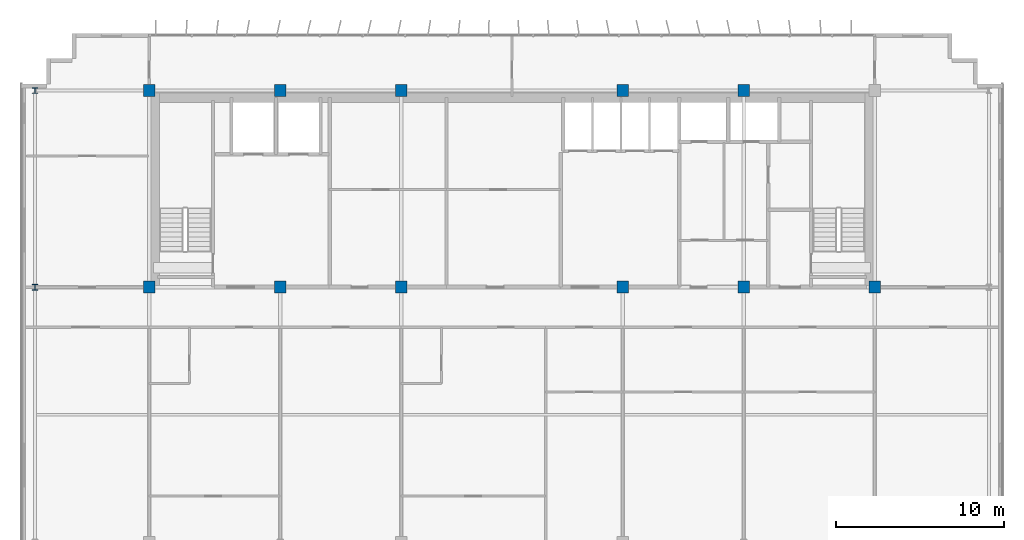
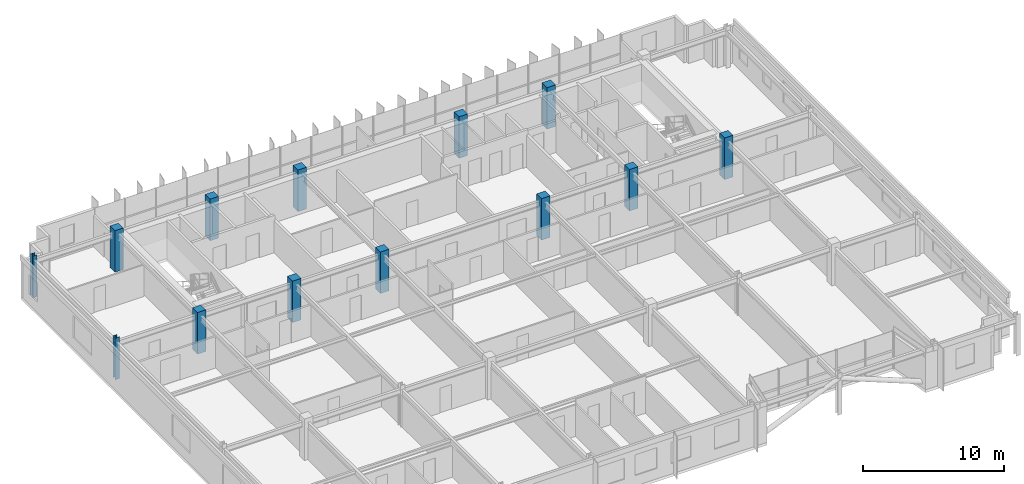
# One storey, part 3 of 27: 13 columns.
"""IFC4 building model written with IfcOpenShell, lengths in metres."""

from ifc_helpers import new_model, si_unit, direction, frame, origin, origin_2d, place, context, subcontext, project, spatial, rectangle, i_section, extrude, source, transform, mapped, material, material_profile, profile_set, type_object, element, save


model = new_model("IFC4")

# Units and contexts
model_context = context("Model", 3, precision=1e-05, world=origin(), true_north=direction((0.0, 1.0)))
body_context = subcontext(model_context, "Body", "Model", "MODEL_VIEW")
ifc_project = project(units=[si_unit("LENGTHUNIT", "METRE"), si_unit("AREAUNIT", "SQUARE_METRE"), si_unit("VOLUMEUNIT", "CUBIC_METRE"), si_unit("PLANEANGLEUNIT", "RADIAN"), si_unit("MASSUNIT", "GRAM", prefix="KILO")], contexts=[model_context])

# Site, building, storey
site_placement = place(None, origin())
site = spatial("IfcSite", under=ifc_project, at=site_placement, CompositionType="ELEMENT")
building_placement = place(site_placement, origin())
building = spatial("IfcBuilding", under=site, at=building_placement, Name="Trelvane Seafront Commons", CompositionType="ELEMENT")
storey_placement = place(building_placement, frame((0.0, 0.0, 237.300048828125)))
storey = spatial("IfcBuildingStorey", under=building, at=storey_placement, Name="L62", CompositionType="ELEMENT", Elevation=237.300048828125)

# Columns
ifc_material_1 = material(Name="Concrete C50/60", Category="concrete")
ifc_material_profile_1 = material_profile(ifc_material_1, rectangle(XDim=0.699951171875, YDim=0.699951171875, at=origin_2d()), Name="RC-700x700")
ifc_profile_set_1 = profile_set([ifc_material_profile_1], Name="Concrete C50/60")
column_type_1 = type_object("IfcColumnType", Name="STR-COL-RC700", PredefinedType="COLUMN", material=ifc_profile_set_1)
shared_shape_1 = source(origin(), body_context, "Body", "SweptSolid", [
    extrude(rectangle(XDim=0.699951171875, YDim=0.699951171875, at=origin_2d()), origin(), (0.0, 0.0, 1.0), 3.599853515625),
])
for number, where, z_axis, x_axis, name in (
    (1, (15.60009765625, 33.39990234375, 0.0), (0.0, 0.0, 1.0), (1.0, 0.0, 0.0), "L62 Column TC-CS15.6"),
    (2, (15.60009765625, 45.10009765625, 0.0), (0.0, 0.0, 1.0), (1.0, 0.0, 0.0), "L62 Column TC-CN15.6"),
    (3, (23.39990234375, 33.39990234375, 0.0), (0.0, 0.0, 1.0), (1.0, 0.0, 0.0), "L62 Column TC-CS23.4"),
    (4, (23.39990234375, 45.10009765625, 0.0), (0.0, 0.0, 1.0), (1.0, 0.0, 0.0), "L62 Column TC-CN23.4"),
    (5, (30.60009765625, 33.39990234375, 0.0), (0.0, 0.0, 1.0), (1.0, 0.0, 0.0), "L62 Column TC-CS30.6"),
    (6, (30.60009765625, 45.10009765625, 0.0), (0.0, 0.0, 1.0), (1.0, 0.0, 0.0), "L62 Column TC-CN30.6"),
    (7, (43.800048828125, 33.39990234375, 0.0), (0.0, 0.0, 1.0), (1.0, 0.0, 0.0), "L62 Column TC-CS43.8"),
    (8, (43.800048828125, 45.10009765625, 0.0), (0.0, 0.0, 1.0), (1.0, 0.0, 0.0), "L62 Column TC-CN43.8"),
    (9, (51.0, 33.39990234375, 0.0), (0.0, 0.0, 1.0), (1.0, 0.0, 0.0), "L62 Column TC-CS51.0"),
    (10, (51.0, 45.10009765625, 0.0), (0.0, 0.0, 1.0), (1.0, 0.0, 0.0), "L62 Column TC-CN51.0"),
    (11, (58.800048828125, 33.39990234375, 0.0), (0.0, 0.0, 1.0), (1.0, 0.0, 0.0), "L62 Column TC-CS58.8"),
):
    element("IfcColumn", number, at=place(storey_placement, frame(where, z_axis=z_axis, x_axis=x_axis)), inside=storey, type_object=column_type_1, Name=name, PredefinedType="COLUMN", context=body_context, shape_type="MappedRepresentation", body=[
        mapped(shared_shape_1, transform((0.0, 0.0, 0.0), x_axis=(1.0, 0.0, 0.0), y_axis=(0.0, 1.0, 0.0), z_axis=(0.0, 0.0, 1.0), scale=1.0)),
    ])
ifc_material_2 = material(Name="Steel SM355 (S355)", Category="steel")
ifc_material_profile_2 = material_profile(ifc_material_2, i_section(OverallWidth=0.35009765625, OverallDepth=0.35009765625, WebThickness=0.01806640625, FlangeThickness=0.028076171875, at=origin_2d()), Name="HD-350x350x18x28")
ifc_profile_set_2 = profile_set([ifc_material_profile_2], Name="Steel SM355 (S355)")
column_type_2 = type_object("IfcColumnType", Name="STR-COL-HD350", PredefinedType="COLUMN", material=ifc_profile_set_2)
shared_shape_2 = source(origin(), body_context, "Body", "SweptSolid", [
    extrude(i_section(OverallWidth=0.35009765625, OverallDepth=0.35009765625, WebThickness=0.01806640625, FlangeThickness=0.028076171875, at=origin_2d()), origin(), (0.0, 0.0, 1.0), 3.599853515625),
])
for number, where, z_axis, x_axis, name in (
    (12, (8.800048828125, 33.39990234375, 0.0), (0.0, 0.0, 1.0), (1.0, 0.0, 0.0), "L62 Column TC-CS8.8"),
    (13, (8.800048828125, 45.10009765625, 0.0), (0.0, 0.0, 1.0), (1.0, 0.0, 0.0), "L62 Column TC-CN8.8"),
):
    element("IfcColumn", number, at=place(storey_placement, frame(where, z_axis=z_axis, x_axis=x_axis)), inside=storey, type_object=column_type_2, Name=name, PredefinedType="COLUMN", context=body_context, shape_type="MappedRepresentation", body=[
        mapped(shared_shape_2, transform((0.0, 0.0, 0.0), x_axis=(1.0, 0.0, 0.0), y_axis=(0.0, 1.0, 0.0), z_axis=(0.0, 0.0, 1.0), scale=1.0)),
    ])

save(model, "model.ifc")
